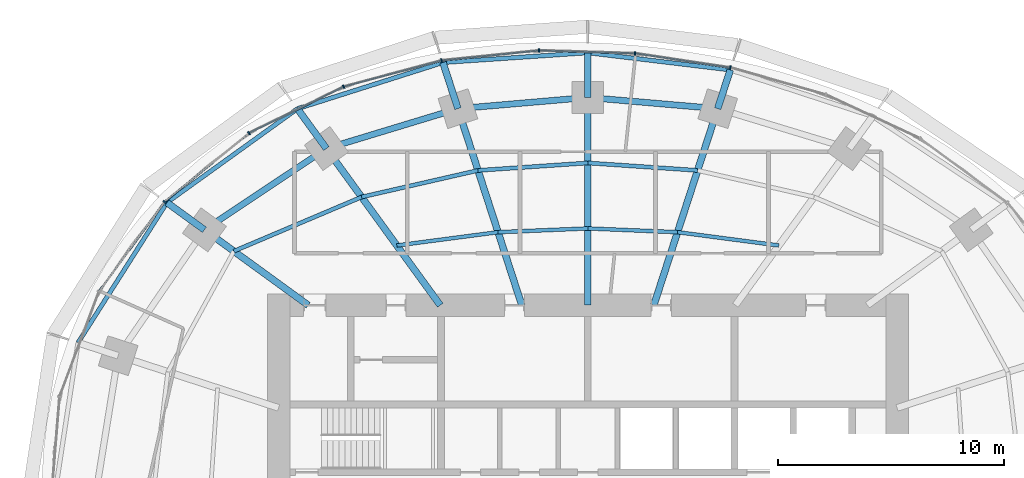
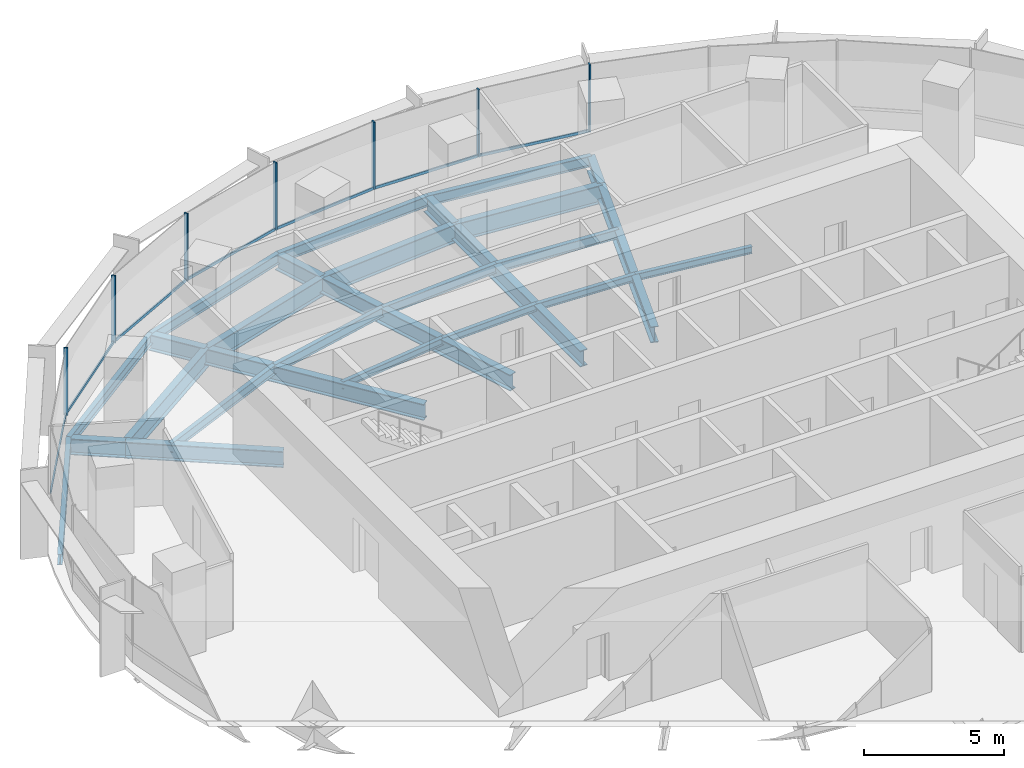
# One storey, part 7 of 14: 27 beams, 14 members, 2 elements without a shape of their own.
"""IFC4 building model written with IfcOpenShell, lengths in metres."""

import ifcopenshell
import ifcopenshell.guid

model = None  # the IFC model being written
_history = None  # IfcOwnerHistory: only IFC2X3 demands one
_inside = {}  # id of a spatial element -> (the spatial element, [elements in it])
_under = {}  # id of a project, library or spatial element -> (it, [spatial elements below it])
_declared = {}  # id of a project -> (the project, [libraries it declares])
_typed = {}  # id of a type object -> (the type object, [elements of that type])
_made_of = {}  # id of a material, layer set ... -> (it, [elements and type objects made of it])


def new_model(schema):
    """Start an empty IFC model of exactly this schema.

    Asked for "IFC4X3", IfcOpenShell would pick the latest addendum, in which some entities
    have other attributes; the version numbers below select the first issue.
    IFC2X3 requires an IfcOwnerHistory on every rooted entity: one is made here for all.
    """
    global model, _history
    if schema == "IFC4X3":
        model = ifcopenshell.file(schema_version=(4, 3, 0, 0))
    else:
        model = ifcopenshell.file(schema=schema)
    _inside.clear()
    _under.clear()
    _declared.clear()
    _typed.clear()
    _made_of.clear()
    _history = None
    if model.schema == "IFC2X3":
        org = make("IfcOrganization", Name="unknown")
        user = make(
            "IfcPersonAndOrganization",
            ThePerson=make("IfcPerson", FamilyName="unknown"),
            TheOrganization=org,
        )
        app = make(
            "IfcApplication",
            ApplicationDeveloper=org,
            Version="unknown",
            ApplicationFullName="unknown",
            ApplicationIdentifier="unknown",
        )
        _history = make(
            "IfcOwnerHistory",
            OwningUser=user,
            OwningApplication=app,
            ChangeAction="ADDED",
            CreationDate=0,
        )
    return model


def make(cls, **values):
    """One entity of the class cls with the attributes given. An attribute that is None is left unset."""
    return model.create_entity(
        cls, **{name: value for name, value in values.items() if value is not None}
    )


def rooted(cls, **values):
    """An entity with a GlobalId (a new one), such as an element, a storey or a relation."""
    return make(cls, GlobalId=ifcopenshell.guid.new(), OwnerHistory=_history, **values)


def si_unit(unit_type, name, prefix=None):
    """IfcSIUnit, for example si_unit("LENGTHUNIT", "METRE", prefix="MILLI")."""
    return make("IfcSIUnit", UnitType=unit_type, Prefix=prefix, Name=name)


def assignment(units):
    """IfcUnitAssignment: the units of a project."""
    return None if units is None else make("IfcUnitAssignment", Units=units)


def point(xyz):
    """IfcCartesianPoint."""
    return None if xyz is None else make("IfcCartesianPoint", Coordinates=xyz)


def direction(xyz):
    """IfcDirection."""
    return None if xyz is None else make("IfcDirection", DirectionRatios=xyz)


def frame(location, z_axis=None, x_axis=None):
    """IfcAxis2Placement3D, a coordinate frame: its origin and axes. An axis left out is left unset."""
    return make(
        "IfcAxis2Placement3D",
        Location=point(location),
        Axis=direction(z_axis),
        RefDirection=direction(x_axis),
    )


def frame_2d(location, x_axis=None):
    """IfcAxis2Placement2D, a coordinate frame in the plane: its origin and x axis."""
    return make(
        "IfcAxis2Placement2D", Location=point(location), RefDirection=direction(x_axis)
    )


def origin():
    """The frame at (0, 0, 0) with its axes left unset."""
    return frame((0.0, 0.0, 0.0))


def origin_2d():
    """The frame at (0, 0) in the plane with its x axis left unset."""
    return frame_2d((0.0, 0.0))


def place(relative_to, where):
    """IfcLocalPlacement: puts the frame where relative to a parent placement (None: the world)."""
    return make(
        "IfcLocalPlacement", PlacementRelTo=relative_to, RelativePlacement=where
    )


def context(
    kind, dimensions, precision=None, world=None, true_north=None, identifier=None
):
    """IfcGeometricRepresentationContext, for example the 3D "Model" context."""
    return make(
        "IfcGeometricRepresentationContext",
        ContextIdentifier=identifier,
        ContextType=kind,
        CoordinateSpaceDimension=dimensions,
        Precision=precision,
        WorldCoordinateSystem=world,
        TrueNorth=true_north,
    )


def subcontext(parent, identifier, kind, view, scale=None):
    """IfcGeometricRepresentationSubContext, for example "Body" below "Model"."""
    return make(
        "IfcGeometricRepresentationSubContext",
        ContextIdentifier=identifier,
        ContextType=kind,
        ParentContext=parent,
        TargetScale=scale,
        TargetView=view,
    )


def project(units=None, contexts=None):
    """IfcProject with its units and contexts."""
    return rooted(
        "IfcProject",
        Name="project",
        RepresentationContexts=contexts,
        UnitsInContext=assignment(units),
    )


def spatial(cls, under=None, at=None, **own):
    """A site, building, storey or space (cls), placed at a placement, below another one or the project."""
    s = rooted(cls, ObjectPlacement=at, **own)
    if under is not None:
        _under.setdefault(under.id(), (under, []))[1].append(s)
    return s


def profile(cls, at=None, kind="AREA", **sizes):
    """A parametric profile (cls). Its sizes go by their IFC names, for example OverallWidth=200.0."""
    return make(cls, ProfileType=kind, Position=at, **sizes)


def rectangle(**sizes):
    """IfcRectangleProfileDef."""
    return profile("IfcRectangleProfileDef", **sizes)


def i_section(**sizes):
    """IfcIShapeProfileDef."""
    return profile("IfcIShapeProfileDef", **sizes)


def extrude(swept, where, along, depth):
    """IfcExtrudedAreaSolid: the profile swept, set in the frame where, extruded along a direction by depth."""
    return make(
        "IfcExtrudedAreaSolid",
        SweptArea=swept,
        Position=where,
        ExtrudedDirection=direction(along),
        Depth=depth,
    )


def shape(context_of_items, identifier, shape_type, items):
    """IfcShapeRepresentation: the items that make up one representation, for example the "Body"."""
    return make(
        "IfcShapeRepresentation",
        ContextOfItems=context_of_items,
        RepresentationIdentifier=identifier,
        RepresentationType=shape_type,
        Items=items,
    )


def material(Name=None, Category=None):
    """IfcMaterial."""
    return make("IfcMaterial", Name=Name, Category=Category)


def material_profile(
    of_material, cross_section, Name=None, Category=None, Priority=None
):
    """IfcMaterialProfile: a cross section and its material."""
    return make(
        "IfcMaterialProfile",
        Name=Name,
        Material=of_material,
        Profile=cross_section,
        Priority=Priority,
        Category=Category,
    )


def profile_set(profiles, Name=None, composite=None):
    """IfcMaterialProfileSet."""
    return make(
        "IfcMaterialProfileSet",
        Name=Name,
        MaterialProfiles=profiles,
        CompositeProfile=composite,
    )


def made_of(thing, what):
    """Note that an element or type object is made of a material, layer set ...; save() writes the relation."""
    if what is not None:
        _made_of.setdefault(what.id(), (what, []))[1].append(thing)
    return thing


def type_object(cls, material=None, **own):
    """A type object (cls), such as IfcWallType, which elements share."""
    return made_of(rooted(cls, **own), material)


def element(
    cls,
    number,
    at=None,
    inside=None,
    cuts=None,
    type_object=None,
    material=None,
    context=None,
    identifier="Body",
    shape_type=None,
    held_by="IfcProductDefinitionShape",
    body=None,
    shapes=None,
    **own,
):
    """One element of the class cls, such as IfcWall. Its Tag is "e" and its number.

    at: its placement. inside: the storey or other place that contains it. cuts: it is an
    opening in that element (IfcRelVoidsElement). A single representation is given by context,
    identifier, shape_type and body (its items); several are given by shapes. held_by: the class
    of the entity that holds the representations. save() writes the other relations.
    """
    e = rooted(cls, Tag="e%d" % number, ObjectPlacement=at, **own)
    if body is not None:
        shapes = [shape(context, identifier, shape_type, body)]
    if shapes is not None:
        e.Representation = make(held_by, Representations=shapes)
    if inside is not None:
        _inside.setdefault(inside.id(), (inside, []))[1].append(e)
    if cuts is not None:
        rooted(
            "IfcRelVoidsElement", RelatingBuildingElement=cuts, RelatedOpeningElement=e
        )
    if type_object is not None:
        _typed.setdefault(type_object.id(), (type_object, []))[1].append(e)
    return made_of(e, material)


def aggregate(whole, parts):
    """IfcRelAggregates: a whole, such as a stair, and the parts it consists of."""
    return rooted("IfcRelAggregates", RelatingObject=whole, RelatedObjects=parts)


def save(model, path):
    """Write the relations noted so far, then the file.

    IfcRelAggregates (storeys below a building ...), IfcRelContainedInSpatialStructure (elements
    in a storey), IfcRelDefinesByType, IfcRelAssociatesMaterial and IfcRelDeclares: one each for
    every whole, place, type object, material and project.
    """
    for whole, parts in _under.values():
        aggregate(whole, parts)
    for where, things in _inside.values():
        rooted(
            "IfcRelContainedInSpatialStructure",
            RelatedElements=things,
            RelatingStructure=where,
        )
    for kind, things in _typed.values():
        rooted("IfcRelDefinesByType", RelatedObjects=things, RelatingType=kind)
    for what, things in _made_of.values():
        rooted("IfcRelAssociatesMaterial", RelatedObjects=things, RelatingMaterial=what)
    for by, libraries in _declared.values():
        rooted("IfcRelDeclares", RelatingContext=by, RelatedDefinitions=libraries)
    model.write(path)


model = new_model("IFC4")

# Units and contexts
model_context = context("Model", 3, precision=1e-05, world=origin(), true_north=direction((0.0, 1.0)))
body_context = subcontext(model_context, "Body", "Model", "MODEL_VIEW")
ifc_project = project(units=[si_unit("LENGTHUNIT", "METRE"), si_unit("AREAUNIT", "SQUARE_METRE"), si_unit("VOLUMEUNIT", "CUBIC_METRE"), si_unit("PLANEANGLEUNIT", "RADIAN"), si_unit("MASSUNIT", "GRAM", prefix="KILO")], contexts=[model_context])

# Site, building, storey
site_placement = place(None, origin())
site = spatial("IfcSite", under=ifc_project, at=site_placement, CompositionType="ELEMENT")
building_placement = place(site_placement, origin())
building = spatial("IfcBuilding", under=site, at=building_placement, Name="Marramba Exchange Tower", CompositionType="ELEMENT")
storey_placement = place(building_placement, frame((0.0, 0.0, 234.5)))
storey = spatial("IfcBuildingStorey", under=building, at=storey_placement, Name="L57", CompositionType="ELEMENT", Elevation=234.5)

# Beams
ifc_material_1 = material(Name="Steel AS/NZS 3679.2 grade 300", Category="steel")
ifc_material_profile_1 = material_profile(ifc_material_1, i_section(OverallWidth=0.300048828125, OverallDepth=0.699951171875, WebThickness=0.010009765625, FlangeThickness=0.031982421875, at=origin_2d()), Name="700WB173")
ifc_profile_set_1 = profile_set([ifc_material_profile_1], Name="Steel AS/NZS 3679.2 grade 300")
beam_type_1 = type_object("IfcBeamType", Name="Cantilever girder 700WB173", PredefinedType="BEAM", material=ifc_profile_set_1)
beam_1_placement = place(storey_placement, frame((5.75390625, 17.70849609375, -0.510009765625), z_axis=(0.308960771946, 0.951074782232, 0.0), x_axis=(-0.951074782232, 0.308960771946, 0.0)))
element("IfcBeam", 1, at=beam_1_placement, inside=storey, type_object=beam_type_1, Name="Cantilever girder L57 TC05", PredefinedType="BEAM", context=body_context, shape_type="SweptSolid", body=[
    extrude(i_section(OverallWidth=0.300048828125, OverallDepth=0.699951171875, WebThickness=0.010009765625, FlangeThickness=0.031982421875, at=origin_2d()), origin(), (0.0, 0.0, 1.0), 1.806396484375),
])
beam_2_placement = place(storey_placement, frame((0.0, 18.2041015625, -0.510009765625), z_axis=(0.0, 1.0, 0.0), x_axis=(-1.0, 0.0, 0.0)))
element("IfcBeam", 2, at=beam_2_placement, inside=storey, type_object=beam_type_1, Name="Cantilever girder L57 TC06", PredefinedType="BEAM", context=body_context, shape_type="SweptSolid", body=[
    extrude(i_section(OverallWidth=0.300048828125, OverallDepth=0.699951171875, WebThickness=0.010009765625, FlangeThickness=0.031982421875, at=origin_2d()), origin(), (0.0, 0.0, 1.0), 1.982177734375),
])
beam_3_placement = place(storey_placement, frame((-5.75390625, 17.70849609375, -0.510009765625), z_axis=(-0.308998798068, 0.951062428441, 0.0), x_axis=(-0.951062428441, -0.308998798068, 0.0)))
element("IfcBeam", 3, at=beam_3_placement, inside=storey, type_object=beam_type_1, Name="Cantilever girder L57 TC07", PredefinedType="BEAM", context=body_context, shape_type="SweptSolid", body=[
    extrude(i_section(OverallWidth=0.300048828125, OverallDepth=0.699951171875, WebThickness=0.010009765625, FlangeThickness=0.031982421875, at=origin_2d()), origin(), (0.0, 0.0, 1.0), 2.150634765625),
])
beam_4_placement = place(storey_placement, frame((-11.581298828125, 15.9404296875, -0.510009765625), z_axis=(-0.587832433352, 0.808982713226, 0.0), x_axis=(-0.808982713226, -0.587832433352, 0.0)))
element("IfcBeam", 4, at=beam_4_placement, inside=storey, type_object=beam_type_1, Name="Cantilever girder L57 TC08", PredefinedType="BEAM", context=body_context, shape_type="SweptSolid", body=[
    extrude(i_section(OverallWidth=0.300048828125, OverallDepth=0.699951171875, WebThickness=0.010009765625, FlangeThickness=0.031982421875, at=origin_2d()), origin(), (0.0, 0.0, 1.0), 2.1826171875),
])
beam_5_placement = place(storey_placement, frame((-16.98583984375, 12.3408203125, -0.510009765625), z_axis=(-0.808962446125, 0.587860324192, 0.0), x_axis=(-0.587860324192, -0.808962446125, 0.0)))
element("IfcBeam", 5, at=beam_5_placement, inside=storey, type_object=beam_type_1, Name="Cantilever girder L57 TC09", PredefinedType="BEAM", context=body_context, shape_type="SweptSolid", body=[
    extrude(i_section(OverallWidth=0.300048828125, OverallDepth=0.699951171875, WebThickness=0.010009765625, FlangeThickness=0.031982421875, at=origin_2d()), origin(), (0.0, 0.0, 1.0), 2.051513671875),
])
ifc_material_2 = material(Name="Steel AS/NZS 3679.1 grade 300", Category="steel")
ifc_material_profile_2 = material_profile(ifc_material_2, i_section(OverallWidth=0.166015625, OverallDepth=0.306884765625, WebThickness=0.006591796875, FlangeThickness=0.01171875, FilletRadius=0.011474609375, at=origin_2d()), Name="310UB46.2")
ifc_profile_set_2 = profile_set([ifc_material_profile_2], Name="Steel AS/NZS 3679.1 grade 300")
beam_type_2 = type_object("IfcBeamType", Name="Floor joist 310UB46.2", PredefinedType="JOIST", material=ifc_profile_set_2)
beam_6_placement = place(storey_placement, frame((8.4619140625, 11.646728515625, -0.3134765625), z_axis=(-0.991480538255, 0.130254912618, 0.0), x_axis=(-0.130254912618, -0.991480538255, 0.0)))
element("IfcBeam", 6, at=beam_6_placement, inside=storey, type_object=beam_type_2, Name="Joist L57 bay 04 row 1", PredefinedType="JOIST", context=body_context, shape_type="SweptSolid", body=[
    extrude(i_section(OverallWidth=0.166015625, OverallDepth=0.306884765625, WebThickness=0.006591796875, FlangeThickness=0.01171875, FilletRadius=0.011474609375, at=origin_2d()), origin(), (0.0, 0.0, 1.0), 4.524658203125),
])
for number, where, z_axis, x_axis, name in (
    (7, (3.975830078125, 12.236083984375, -0.3134765625), (-0.999137002892, 0.041536122257, 0.0), (-0.041536122257, -0.999137002892, 0.0), "Joist L57 bay 05 row 1"),
    (8, (0.0, 12.4013671875, -0.3134765625), (-0.999137002892, -0.041536122257, 0.0), (0.041536122257, -0.999137002892, 0.0), "Joist L57 bay 06 row 1"),
):
    element("IfcBeam", number, at=place(storey_placement, frame(where, z_axis=z_axis, x_axis=x_axis)), inside=storey, type_object=beam_type_2, Name=name, PredefinedType="JOIST", context=body_context, shape_type="SweptSolid", body=[
        extrude(i_section(OverallWidth=0.166015625, OverallDepth=0.306884765625, WebThickness=0.006591796875, FlangeThickness=0.01171875, FilletRadius=0.011474609375, at=origin_2d()), origin(), (0.0, 0.0, 1.0), 3.979248046875),
    ])
beam_7_placement = place(storey_placement, frame((-3.975830078125, 12.236083984375, -0.3134765625), z_axis=(-0.991480538255, -0.130254912618, 0.0), x_axis=(0.130254912618, -0.991480538255, 0.0)))
element("IfcBeam", 9, at=beam_7_placement, inside=storey, type_object=beam_type_2, Name="Joist L57 bay 07 row 1", PredefinedType="JOIST", context=body_context, shape_type="SweptSolid", body=[
    extrude(i_section(OverallWidth=0.166015625, OverallDepth=0.306884765625, WebThickness=0.006591796875, FlangeThickness=0.01171875, FilletRadius=0.011474609375, at=origin_2d()), origin(), (0.0, 0.0, 1.0), 4.524658203125),
])
ifc_material_profile_3 = material_profile(ifc_material_2, i_section(OverallWidth=0.177978515625, OverallDepth=0.406005859375, WebThickness=0.0078125, FlangeThickness=0.0126953125, FilletRadius=0.011474609375, at=origin_2d()), Name="410UB59.7")
ifc_profile_set_3 = profile_set([ifc_material_profile_3], Name="Steel AS/NZS 3679.1 grade 300")
beam_type_3 = type_object("IfcBeamType", Name="Floor joist 410UB59.7", PredefinedType="JOIST", material=ifc_profile_set_3)
for number, where, z_axis, x_axis, name in (
    (10, (4.86474609375, 14.972412109375, -0.363037109375), (-0.997702652202, 0.067745241816, 0.0), (-0.067745241816, -0.997702652202, 0.0), "Joist L57 bay 05 row 2"),
    (11, (0.0, 15.302734375, -0.363037109375), (-0.997702652202, -0.067745241816, 0.0), (0.067745241816, -0.997702652202, 0.0), "Joist L57 bay 06 row 2"),
):
    element("IfcBeam", number, at=place(storey_placement, frame(where, z_axis=z_axis, x_axis=x_axis)), inside=storey, type_object=beam_type_3, Name=name, PredefinedType="JOIST", context=body_context, shape_type="SweptSolid", body=[
        extrude(i_section(OverallWidth=0.177978515625, OverallDepth=0.406005859375, WebThickness=0.0078125, FlangeThickness=0.0126953125, FilletRadius=0.011474609375, at=origin_2d()), origin(), (0.0, 0.0, 1.0), 4.8759765625),
    ])
beam_8_placement = place(storey_placement, frame((-4.86474609375, 14.972412109375, -0.363037109375), z_axis=(-0.974859652292, -0.222819788916, 0.0), x_axis=(0.222819788916, -0.974859652292, 0.0)))
element("IfcBeam", 12, at=beam_8_placement, inside=storey, type_object=beam_type_3, Name="Joist L57 bay 07 row 2", PredefinedType="JOIST", context=body_context, shape_type="SweptSolid", body=[
    extrude(i_section(OverallWidth=0.177978515625, OverallDepth=0.406005859375, WebThickness=0.0078125, FlangeThickness=0.0126953125, FilletRadius=0.011474609375, at=origin_2d()), origin(), (0.0, 0.0, 1.0), 5.2900390625),
])
beam_9_placement = place(storey_placement, frame((-10.021728515625, 13.793701171875, -0.363037109375), z_axis=(-0.920674336375, -0.390331610738, 0.0), x_axis=(0.390331610738, -0.920674336375, 0.0)))
element("IfcBeam", 13, at=beam_9_placement, inside=storey, type_object=beam_type_3, Name="Joist L57 bay 08 row 2", PredefinedType="JOIST", context=body_context, shape_type="SweptSolid", body=[
    extrude(i_section(OverallWidth=0.177978515625, OverallDepth=0.406005859375, WebThickness=0.0078125, FlangeThickness=0.0126953125, FilletRadius=0.011474609375, at=origin_2d()), origin(), (0.0, 0.0, 1.0), 6.1484375),
])

# Curtain wall, members
ifc_material_3 = material(Name="Aluminium framing, bronze anodised", Category="aluminium")
curtain_wall_type = type_object("IfcCurtainWallType", Name="Office ribbon curtain wall", PredefinedType="USERDEFINED", material=ifc_material_3)
curtain_wall_1_placement = place(storey_placement, origin())
curtain_wall_1 = element("IfcCurtainWall", 14, at=curtain_wall_1_placement, inside=storey, type_object=curtain_wall_type, Name="Curtain wall CW4 L57 F06-F10", ObjectType="RIBBON CURTAIN WALL", PredefinedType="USERDEFINED")
ifc_material_4 = material(Name="Aluminium mullion, bronze anodised", Category="aluminium")
ifc_material_profile_4 = material_profile(ifc_material_4, rectangle(XDim=0.159912109375, YDim=0.06005859375, at=origin_2d()), Name="CW4 mullion 60x160")
ifc_profile_set_4 = profile_set([ifc_material_profile_4], Name="Aluminium mullion, bronze anodised")
member_type_1 = type_object("IfcMemberType", Name="Office ribbon curtain wall mullion", PredefinedType="MULLION", material=ifc_profile_set_4)
member_1_placement = place(storey_placement, frame((6.313232421875, 19.526123046875, 0.800048828125), z_axis=(0.0, 0.0, 1.0), x_axis=(-0.148794988635, -0.988868065698, 0.0)))
member_1 = element("IfcMember", 15, at=member_1_placement, type_object=member_type_1, Name="CW4 mullion 1", PredefinedType="MULLION", context=body_context, shape_type="SweptSolid", body=[
    extrude(rectangle(XDim=0.159912109375, YDim=0.06005859375, at=origin_2d()), origin(), (0.0, 0.0, 1.0), 2.93994140625),
])
member_2_placement = place(storey_placement, frame((2.088623046875, 20.158203125, 0.800048828125), z_axis=(0.0, 0.0, 1.0), x_axis=(-0.03039385249, -0.999538000143, 0.0)))
member_2 = element("IfcMember", 16, at=member_2_placement, type_object=member_type_1, Name="CW4 mullion 1", PredefinedType="MULLION", context=body_context, shape_type="SweptSolid", body=[
    extrude(rectangle(XDim=0.159912109375, YDim=0.06005859375, at=origin_2d()), origin(), (0.0, 0.0, 1.0), 2.93994140625),
])
member_3_placement = place(storey_placement, frame((-2.162109375, 20.28369140625, 0.800048828125), z_axis=(0.0, 0.0, 1.0), x_axis=(0.100862673507, -0.994900357369, 0.0)))
member_3 = element("IfcMember", 17, at=member_3_placement, type_object=member_type_1, Name="CW4 mullion 1", PredefinedType="MULLION", context=body_context, shape_type="SweptSolid", body=[
    extrude(rectangle(XDim=0.159912109375, YDim=0.06005859375, at=origin_2d()), origin(), (0.0, 0.0, 1.0), 2.93994140625),
])
member_4_placement = place(storey_placement, frame((-6.478271484375, 19.84130859375, 0.800048828125), z_axis=(0.0, 0.0, 1.0), x_axis=(0.257641223778, -0.966240653155, 0.0)))
member_4 = element("IfcMember", 18, at=member_4_placement, type_object=member_type_1, Name="CW4 mullion 1", PredefinedType="MULLION", context=body_context, shape_type="SweptSolid", body=[
    extrude(rectangle(XDim=0.159912109375, YDim=0.06005859375, at=origin_2d()), origin(), (0.0, 0.0, 1.0), 2.93994140625),
])

curtain_wall_2_placement = place(storey_placement, origin())
curtain_wall_2 = element("IfcCurtainWall", 19, at=curtain_wall_2_placement, inside=storey, type_object=curtain_wall_type, Name="Curtain wall CW4 L57 F11-F15", ObjectType="RIBBON CURTAIN WALL", PredefinedType="USERDEFINED")
member_5_placement = place(storey_placement, frame((-10.818359375, 18.677978515625, 0.800048828125), z_axis=(0.0, 0.0, 1.0), x_axis=(0.438972456661, -0.898500518805, 0.0)))
member_5 = element("IfcMember", 20, at=member_5_placement, type_object=member_type_1, Name="CW4 mullion 1", PredefinedType="MULLION", context=body_context, shape_type="SweptSolid", body=[
    extrude(rectangle(XDim=0.159912109375, YDim=0.06005859375, at=origin_2d()), origin(), (0.0, 0.0, 1.0), 2.93994140625),
])
member_6_placement = place(storey_placement, frame((-15.008056640625, 16.62353515625, 0.800048828125), z_axis=(0.0, 0.0, 1.0), x_axis=(0.630200830464, -0.776432169145, 0.0)))
member_6 = element("IfcMember", 21, at=member_6_placement, type_object=member_type_1, Name="CW4 mullion 1", PredefinedType="MULLION", context=body_context, shape_type="SweptSolid", body=[
    extrude(rectangle(XDim=0.159912109375, YDim=0.06005859375, at=origin_2d()), origin(), (0.0, 0.0, 1.0), 2.93994140625),
])
member_7_placement = place(storey_placement, frame((-18.744140625, 13.581298828125, 0.800048828125), z_axis=(0.0, 0.0, 1.0), x_axis=(0.805965197024, -0.591962922138, 0.0)))
member_7 = element("IfcMember", 22, at=member_7_placement, type_object=member_type_1, Name="CW4 mullion 1", PredefinedType="MULLION", context=body_context, shape_type="SweptSolid", body=[
    extrude(rectangle(XDim=0.159912109375, YDim=0.06005859375, at=origin_2d()), origin(), (0.0, 0.0, 1.0), 2.93994140625),
])

# Member
ifc_material_5 = material(Name="Aluminium transom, bronze anodised", Category="aluminium")
ifc_material_profile_5 = material_profile(ifc_material_5, rectangle(XDim=0.06005859375, YDim=0.1201171875, at=origin_2d()), Name="CW4 transom 60x120")
ifc_profile_set_5 = profile_set([ifc_material_profile_5], Name="Aluminium transom, bronze anodised")
member_type_2 = type_object("IfcMemberType", Name="Office ribbon curtain wall transom", PredefinedType="USERDEFINED", material=ifc_profile_set_5)
member_8_placement = place(storey_placement, frame((6.28369140625, 19.53076171875, 0.830078125), z_axis=(-0.988868222508, 0.148793946493, 0.0), x_axis=(-0.148793946493, -0.988868222508, 0.0)))
member_8 = element("IfcMember", 23, at=member_8_placement, type_object=member_type_2, Name="CW4 sill transom", ObjectType="TRANSOM", PredefinedType="USERDEFINED", context=body_context, shape_type="SweptSolid", body=[
    extrude(rectangle(XDim=0.06005859375, YDim=0.1201171875, at=origin_2d()), origin(), (0.0, 0.0, 1.0), 4.2119140625),
])

member_9_placement = place(storey_placement, frame((2.05859375, 20.1591796875, 0.830078125), z_axis=(-0.99953796835, 0.030394898024, 0.0), x_axis=(-0.030394898024, -0.99953796835, 0.0)))
member_9 = element("IfcMember", 24, at=member_9_placement, type_object=member_type_2, Name="CW4 sill transom", ObjectType="TRANSOM", PredefinedType="USERDEFINED", context=body_context, shape_type="SweptSolid", body=[
    extrude(rectangle(XDim=0.06005859375, YDim=0.1201171875, at=origin_2d()), origin(), (0.0, 0.0, 1.0), 4.19287109375),
])

member_10_placement = place(storey_placement, frame((-2.19189453125, 20.280517578125, 0.830078125), z_axis=(-0.99489954864, -0.100870650418, 0.0), x_axis=(0.100870650418, -0.99489954864, 0.0)))
member_10 = element("IfcMember", 25, at=member_10_placement, type_object=member_type_2, Name="CW4 sill transom", ObjectType="TRANSOM", PredefinedType="USERDEFINED", context=body_context, shape_type="SweptSolid", body=[
    extrude(rectangle(XDim=0.06005859375, YDim=0.1201171875, at=origin_2d()), origin(), (0.0, 0.0, 1.0), 4.279052734375),
])

member_11_placement = place(storey_placement, frame((-6.50732421875, 19.83349609375, 0.830078125), z_axis=(-0.966237681407, -0.25765236857, 0.0), x_axis=(0.25765236857, -0.966237681407, 0.0)))
member_11 = element("IfcMember", 26, at=member_11_placement, type_object=member_type_2, Name="CW4 sill transom", ObjectType="TRANSOM", PredefinedType="USERDEFINED", context=body_context, shape_type="SweptSolid", body=[
    extrude(rectangle(XDim=0.06005859375, YDim=0.1201171875, at=origin_2d()), origin(), (0.0, 0.0, 1.0), 4.43359375),
])

aggregate(curtain_wall_1, [member_1, member_8, member_2, member_9, member_3, member_10, member_4, member_11])

member_12_placement = place(storey_placement, frame((-10.84521484375, 18.664794921875, 0.830078125), z_axis=(-0.898501418486, -0.438970615165, 0.0), x_axis=(0.438970615165, -0.898501418486, 0.0)))
member_12 = element("IfcMember", 27, at=member_12_placement, type_object=member_type_2, Name="CW4 sill transom", ObjectType="TRANSOM", PredefinedType="USERDEFINED", context=body_context, shape_type="SweptSolid", body=[
    extrude(rectangle(XDim=0.06005859375, YDim=0.1201171875, at=origin_2d()), origin(), (0.0, 0.0, 1.0), 4.607177734375),
])

member_13_placement = place(storey_placement, frame((-15.031494140625, 16.6044921875, 0.830078125), z_axis=(-0.776424623019, -0.630210127473, 0.0), x_axis=(0.630210127473, -0.776424623019, 0.0)))
member_13 = element("IfcMember", 28, at=member_13_placement, type_object=member_type_2, Name="CW4 sill transom", ObjectType="TRANSOM", PredefinedType="USERDEFINED", context=body_context, shape_type="SweptSolid", body=[
    extrude(rectangle(XDim=0.06005859375, YDim=0.1201171875, at=origin_2d()), origin(), (0.0, 0.0, 1.0), 4.7587890625),
])

member_14_placement = place(storey_placement, frame((-18.761962890625, 13.55712890625, 0.830078125), z_axis=(-0.591957380483, -0.805969267213, 0.0), x_axis=(0.805969267213, -0.591957380483, 0.0)))
member_14 = element("IfcMember", 29, at=member_14_placement, type_object=member_type_2, Name="CW4 sill transom", ObjectType="TRANSOM", PredefinedType="USERDEFINED", context=body_context, shape_type="SweptSolid", body=[
    extrude(rectangle(XDim=0.06005859375, YDim=0.1201171875, at=origin_2d()), origin(), (0.0, 0.0, 1.0), 4.865478515625),
])

aggregate(curtain_wall_2, [member_5, member_12, member_6, member_13, member_7, member_14])

# Beams
ifc_material_profile_6 = material_profile(ifc_material_1, i_section(OverallWidth=0.300048828125, OverallDepth=0.699951171875, WebThickness=0.010009765625, FlangeThickness=0.031982421875, at=origin_2d()), Name="700WB173")
ifc_profile_set_6 = profile_set([ifc_material_profile_6], Name="Steel AS/NZS 3679.2 grade 300")
beam_type_4 = type_object("IfcBeamType", Name="Radial girder 700WB173", PredefinedType="BEAM", material=ifc_profile_set_6)
beam_10_placement = place(storey_placement, frame((2.92431640625, 9.0, -0.510009765625), z_axis=(0.309019754162, 0.951055619582, 0.0), x_axis=(-0.951055619582, 0.309019754162, 0.0)))
element("IfcBeam", 30, at=beam_10_placement, inside=storey, type_object=beam_type_4, Name="Radial girder L57 TC05", PredefinedType="BEAM", context=body_context, shape_type="SweptSolid", body=[
    extrude(i_section(OverallWidth=0.300048828125, OverallDepth=0.699951171875, WebThickness=0.010009765625, FlangeThickness=0.031982421875, at=origin_2d()), origin(), (0.0, 0.0, 1.0), 9.15673828125),
])
beam_11_placement = place(storey_placement, frame((0.0, 9.0, -0.510009765625), z_axis=(0.0, 1.0, 0.0), x_axis=(-1.0, 0.0, 0.0)))
element("IfcBeam", 31, at=beam_11_placement, inside=storey, type_object=beam_type_4, Name="Radial girder L57 TC06", PredefinedType="BEAM", context=body_context, shape_type="SweptSolid", body=[
    extrude(i_section(OverallWidth=0.300048828125, OverallDepth=0.699951171875, WebThickness=0.010009765625, FlangeThickness=0.031982421875, at=origin_2d()), origin(), (0.0, 0.0, 1.0), 9.2041015625),
])
beam_12_placement = place(storey_placement, frame((-2.92431640625, 9.0, -0.510009765625), z_axis=(-0.309019754162, 0.951055619582, 0.0), x_axis=(-0.951055619582, -0.309019754162, 0.0)))
element("IfcBeam", 32, at=beam_12_placement, inside=storey, type_object=beam_type_4, Name="Radial girder L57 TC07", PredefinedType="BEAM", context=body_context, shape_type="SweptSolid", body=[
    extrude(i_section(OverallWidth=0.300048828125, OverallDepth=0.699951171875, WebThickness=0.010009765625, FlangeThickness=0.031982421875, at=origin_2d()), origin(), (0.0, 0.0, 1.0), 9.15673828125),
])
beam_13_placement = place(storey_placement, frame((-6.538818359375, 9.0, -0.510009765625), z_axis=(-0.587782439969, 0.80901903764, 0.0), x_axis=(-0.80901903764, -0.587782439969, 0.0)))
element("IfcBeam", 33, at=beam_13_placement, inside=storey, type_object=beam_type_4, Name="Radial girder L57 TC08", PredefinedType="BEAM", context=body_context, shape_type="SweptSolid", body=[
    extrude(i_section(OverallWidth=0.300048828125, OverallDepth=0.699951171875, WebThickness=0.010009765625, FlangeThickness=0.031982421875, at=origin_2d()), origin(), (0.0, 0.0, 1.0), 8.578857421875),
])
beam_14_placement = place(storey_placement, frame((-12.387451171875, 9.0, -0.510009765625), z_axis=(-0.809025746925, 0.587773205252, 0.0), x_axis=(-0.587773205252, -0.809025746925, 0.0)))
element("IfcBeam", 34, at=beam_14_placement, inside=storey, type_object=beam_type_4, Name="Radial girder L57 TC09", PredefinedType="BEAM", context=body_context, shape_type="SweptSolid", body=[
    extrude(i_section(OverallWidth=0.300048828125, OverallDepth=0.699951171875, WebThickness=0.010009765625, FlangeThickness=0.031982421875, at=origin_2d()), origin(), (0.0, 0.0, 1.0), 5.683837890625),
])
ifc_material_profile_7 = material_profile(ifc_material_1, i_section(OverallWidth=0.27490234375, OverallDepth=0.800048828125, WebThickness=0.010009765625, FlangeThickness=0.02490234375, at=origin_2d()), Name="800WB168")
ifc_profile_set_7 = profile_set([ifc_material_profile_7], Name="Steel AS/NZS 3679.2 grade 300")
beam_type_5 = type_object("IfcBeamType", Name="Ring beam 800WB168", PredefinedType="SPANDREL", material=ifc_profile_set_7)
for number, where, z_axis, x_axis, name in (
    (35, (5.75390625, 17.70849609375, -0.56005859375), (-0.996311003275, 0.085815993578, 0.0), (-0.085815993578, -0.996311003275, 0.0), "Ring beam L57 TC05-TC06"),
    (36, (0.0, 18.2041015625, -0.56005859375), (-0.996311003275, -0.085815993578, 0.0), (0.085815993578, -0.996311003275, 0.0), "Ring beam L57 TC06-TC07"),
):
    element("IfcBeam", number, at=place(storey_placement, frame(where, z_axis=z_axis, x_axis=x_axis)), inside=storey, type_object=beam_type_5, Name=name, PredefinedType="SPANDREL", context=body_context, shape_type="SweptSolid", body=[
        extrude(i_section(OverallWidth=0.27490234375, OverallDepth=0.800048828125, WebThickness=0.010009765625, FlangeThickness=0.02490234375, at=origin_2d()), origin(), (0.0, 0.0, 1.0), 5.775146484375),
    ])
beam_15_placement = place(storey_placement, frame((-5.75390625, 17.70849609375, -0.56005859375), z_axis=(-0.956924542524, -0.290336735387, 0.0), x_axis=(0.290336735387, -0.956924542524, 0.0)))
element("IfcBeam", 37, at=beam_15_placement, inside=storey, type_object=beam_type_5, Name="Ring beam L57 TC07-TC08", PredefinedType="SPANDREL", context=body_context, shape_type="SweptSolid", body=[
    extrude(i_section(OverallWidth=0.27490234375, OverallDepth=0.800048828125, WebThickness=0.010009765625, FlangeThickness=0.02490234375, at=origin_2d()), origin(), (0.0, 0.0, 1.0), 6.089599609375),
])
beam_16_placement = place(storey_placement, frame((-11.581298828125, 15.9404296875, -0.56005859375), z_axis=(-0.832293151443, -0.554335737673, 0.0), x_axis=(0.554335737673, -0.832293151443, 0.0)))
element("IfcBeam", 38, at=beam_16_placement, inside=storey, type_object=beam_type_5, Name="Ring beam L57 TC08-TC09", PredefinedType="SPANDREL", context=body_context, shape_type="SweptSolid", body=[
    extrude(i_section(OverallWidth=0.27490234375, OverallDepth=0.800048828125, WebThickness=0.010009765625, FlangeThickness=0.02490234375, at=origin_2d()), origin(), (0.0, 0.0, 1.0), 6.49365234375),
])
ifc_material_profile_8 = material_profile(ifc_material_2, i_section(OverallWidth=0.19091796875, OverallDepth=0.4599609375, WebThickness=0.010009765625, FlangeThickness=0.01611328125, FilletRadius=0.011474609375, at=origin_2d()), Name="460UB82.1")
ifc_profile_set_8 = profile_set([ifc_material_profile_8], Name="Steel AS/NZS 3679.1 grade 300")
beam_type_6 = type_object("IfcBeamType", Name="Slab edge beam 460UB82.1", PredefinedType="SPANDREL", material=ifc_profile_set_8)
beam_17_placement = place(storey_placement, frame((6.31201171875, 19.426513671875, -0.389892578125), z_axis=(-0.992833525914, 0.119505605811, 0.0), x_axis=(-0.119505605811, -0.992833525914, 0.0)))
element("IfcBeam", 39, at=beam_17_placement, inside=storey, type_object=beam_type_6, Name="Slab edge beam L57 TC05-TC06", PredefinedType="SPANDREL", context=body_context, shape_type="SweptSolid", body=[
    extrude(i_section(OverallWidth=0.19091796875, OverallDepth=0.4599609375, WebThickness=0.010009765625, FlangeThickness=0.01611328125, FilletRadius=0.011474609375, at=origin_2d()), origin(), (0.0, 0.0, 1.0), 6.357666015625),
])
beam_18_placement = place(storey_placement, frame((0.0, 20.186279296875, -0.389892578125), z_axis=(-0.997738737775, -0.06721168903, 0.0), x_axis=(0.06721168903, -0.997738737775, 0.0)))
element("IfcBeam", 40, at=beam_18_placement, inside=storey, type_object=beam_type_6, Name="Slab edge beam L57 TC06-TC07", PredefinedType="SPANDREL", context=body_context, shape_type="SweptSolid", body=[
    extrude(i_section(OverallWidth=0.19091796875, OverallDepth=0.4599609375, WebThickness=0.010009765625, FlangeThickness=0.01611328125, FilletRadius=0.011474609375, at=origin_2d()), origin(), (0.0, 0.0, 1.0), 6.43310546875),
])
beam_19_placement = place(storey_placement, frame((-6.41845703125, 19.75390625, -0.389892578125), z_axis=(-0.953057484675, -0.302789416766, 0.0), x_axis=(0.302789416766, -0.953057484675, 0.0)))
element("IfcBeam", 41, at=beam_19_placement, inside=storey, type_object=beam_type_6, Name="Slab edge beam L57 TC07-TC08", PredefinedType="SPANDREL", context=body_context, shape_type="SweptSolid", body=[
    extrude(i_section(OverallWidth=0.19091796875, OverallDepth=0.4599609375, WebThickness=0.010009765625, FlangeThickness=0.01611328125, FilletRadius=0.011474609375, at=origin_2d()), origin(), (0.0, 0.0, 1.0), 6.76318359375),
])
beam_20_placement = place(storey_placement, frame((-12.8642578125, 17.7060546875, -0.389892578125), z_axis=(-0.811755352788, -0.583997643163, 0.0), x_axis=(0.583997643163, -0.811755352788, 0.0)))
element("IfcBeam", 42, at=beam_20_placement, inside=storey, type_object=beam_type_6, Name="Slab edge beam L57 TC08-TC09", PredefinedType="SPANDREL", context=body_context, shape_type="SweptSolid", body=[
    extrude(i_section(OverallWidth=0.19091796875, OverallDepth=0.4599609375, WebThickness=0.010009765625, FlangeThickness=0.01611328125, FilletRadius=0.011474609375, at=origin_2d()), origin(), (0.0, 0.0, 1.0), 7.121826171875),
])
beam_21_placement = place(storey_placement, frame((-18.6455078125, 13.546875, -0.389892578125), z_axis=(-0.535794396634, -0.844348485245, 0.0), x_axis=(0.844348485245, -0.535794396634, 0.0)))
element("IfcBeam", 43, at=beam_21_placement, inside=storey, type_object=beam_type_6, Name="Slab edge beam L57 TC09-TC10", PredefinedType="SPANDREL", context=body_context, shape_type="SweptSolid", body=[
    extrude(i_section(OverallWidth=0.19091796875, OverallDepth=0.4599609375, WebThickness=0.010009765625, FlangeThickness=0.01611328125, FilletRadius=0.011474609375, at=origin_2d()), origin(), (0.0, 0.0, 1.0), 7.35302734375),
])

save(model, "model.ifc")
